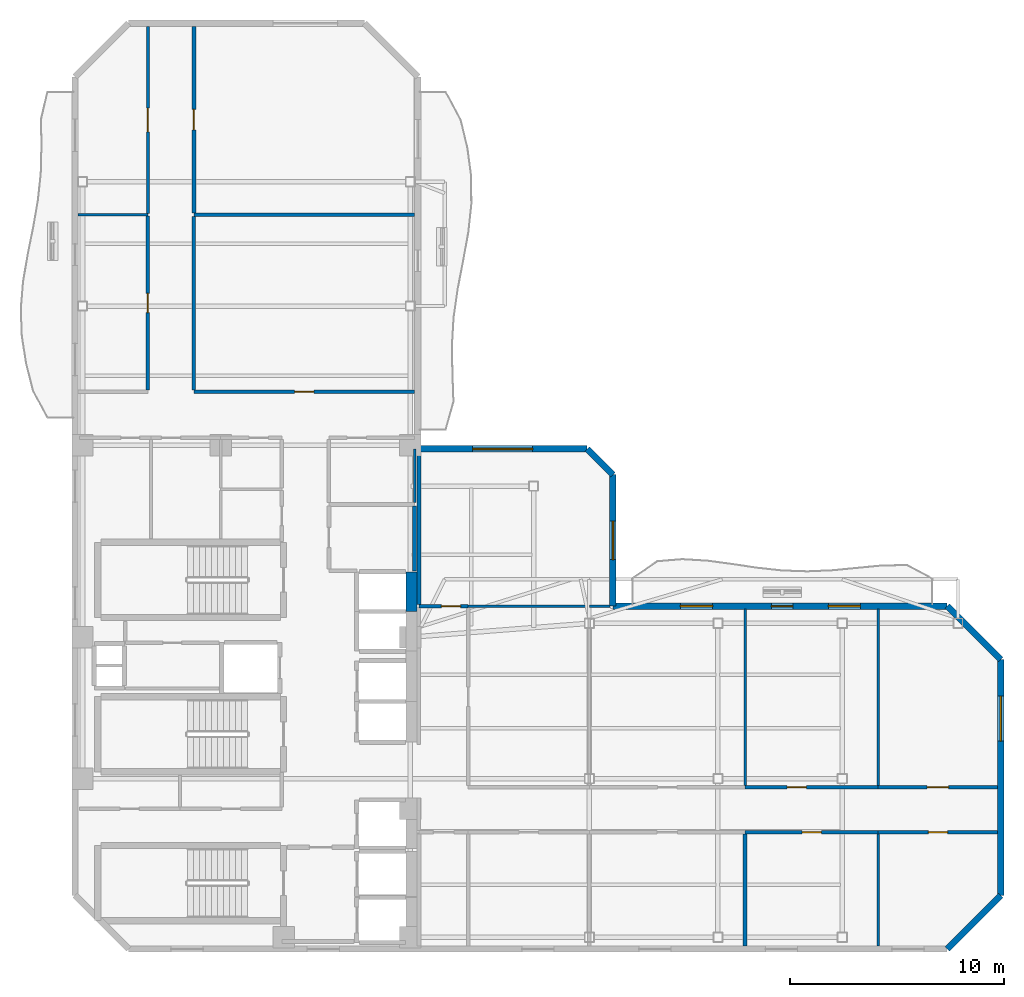
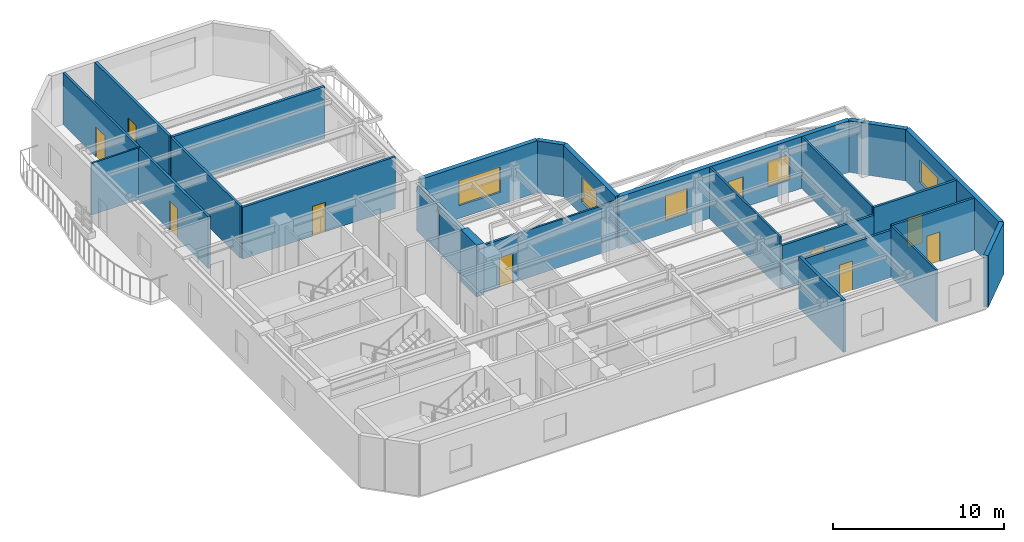
# One storey, part 5 of 9: 29 walls, 10 doors, 5 windows, 15 openings.
"""IFC4 building model written with IfcOpenShell, lengths in metres."""

from ifc_helpers import new_model, si_unit, direction, frame, frame_2d, origin, place, context, subcontext, project, spatial, rectangle, extrude, material, layer, layer_set, type_object, element, fill, save


model = new_model("IFC4")

# Units and contexts
model_context = context("Model", 3, precision=1e-05, world=origin(), true_north=direction((0.0, 1.0)))
body_context = subcontext(model_context, "Body", "Model", "MODEL_VIEW")
ifc_project = project(units=[si_unit("LENGTHUNIT", "METRE"), si_unit("AREAUNIT", "SQUARE_METRE"), si_unit("VOLUMEUNIT", "CUBIC_METRE"), si_unit("PLANEANGLEUNIT", "RADIAN"), si_unit("MASSUNIT", "GRAM", prefix="KILO")], contexts=[model_context])

# Site, building, storey
site_placement = place(None, origin())
site = spatial("IfcSite", under=ifc_project, at=site_placement, CompositionType="ELEMENT")
building_placement = place(site_placement, origin())
building = spatial("IfcBuilding", under=site, at=building_placement, Name="Mawjaban Terraces University", CompositionType="ELEMENT")
storey_placement = place(building_placement, frame((0.0, 0.0, 203.10009765625)))
storey = spatial("IfcBuildingStorey", under=building, at=storey_placement, Name="L49", CompositionType="ELEMENT", Elevation=203.10009765625)

# Wall
ifc_material_1 = material(Name="Acoustic masonry blockwork", Category="masonry")
ifc_layer_1 = layer(ifc_material_1, 0.179931640625)
ifc_layer_set_1 = layer_set([ifc_layer_1], Name="Acoustic masonry blockwork")
wall_type_1 = type_object("IfcWallType", Name="AcousticStudioWall_180", PredefinedType="PARTITIONING", material=ifc_layer_set_1)
wall_1_placement = place(storey_placement, frame((37.85009765625, 34.260009765625, 0.0), z_axis=(0.0, 0.0, 1.0), x_axis=(-1.0, 0.0, 0.0)))
element("IfcWall", 1, at=wall_1_placement, inside=storey, type_object=wall_type_1, Name="L49 Faculty Office 11 Partition 17", PredefinedType="PARTITIONING", context=body_context, shape_type="SweptSolid", body=[
    extrude(rectangle(XDim=10.300048828125, YDim=0.179931640625, at=frame_2d((5.14990234375, 0.0))), origin(), (0.0, 0.0, 1.0), 3.68994140625),
])

# Wall, opening, door
wall_2_placement = place(storey_placement, frame((27.550048828125, 34.344970703125, 0.0), z_axis=(0.0, 0.0, 1.0), x_axis=(0.0, 1.0, 0.0)))
wall_2 = element("IfcWall", 2, at=wall_2_placement, inside=storey, type_object=wall_type_1, Name="L49 West Shifted Academic Corridor Partition 36", PredefinedType="PARTITIONING", context=body_context, shape_type="SweptSolid", body=[
    extrude(rectangle(XDim=8.7099609375, YDim=0.179931640625, at=frame_2d((4.35498046875, 0.0))), origin(), (0.0, 0.0, 1.0), 3.68994140625),
])
opening_1_placement = place(wall_2_placement, frame((3.8798828125, 0.0, 0.0)))
opening_1 = element("IfcOpeningElement", 3, at=opening_1_placement, cuts=wall_2, Name="Opening ID-095", PredefinedType="OPENING", context=body_context, shape_type="SweptSolid", body=[
    extrude(rectangle(XDim=0.949951171875, YDim=2.10009765625, at=frame_2d((0.47509765625, 1.050048828125))), frame((0.0, 0.099853515625, 0.0), z_axis=(0.0, -1.0, 0.0), x_axis=(1.0, 0.0, 0.0)), (0.0, 0.0, 1.0), 0.199951171875),
])
ifc_material_2 = material(Name="Powder-coated steel frame and solid acoustic timber leaf", Category="steel")
door_type_1 = type_object("IfcDoorType", Name="StudioDoor_950x2100", OperationType="NOTDEFINED", PredefinedType="DOOR", material=ifc_material_2)
door_1_placement = place(opening_1_placement, origin())
door_1 = element("IfcDoor", 4, at=door_1_placement, inside=storey, type_object=door_type_1, Name="L49 Design Studio 13 Door", OperationType="SINGLE_SWING_LEFT", OverallHeight=2.10009765625, OverallWidth=0.949951171875, PredefinedType="DOOR", context=body_context, shape_type="SweptSolid", body=[
    extrude(rectangle(XDim=0.949951171875, YDim=2.10009765625, at=frame_2d((0.47509765625, 1.050048828125))), frame((0.0, 0.02490234375, 0.0), z_axis=(0.0, -1.0, 0.0), x_axis=(1.0, 0.0, 0.0)), (0.0, 0.0, 1.0), 0.050048828125),
])
fill(opening_1, door_1)

# Walls
wall_3_placement = place(storey_placement, frame((37.85009765625, 17.64990234375, 0.0), z_axis=(0.0, 0.0, 1.0), x_axis=(0.0, 1.0, 0.0)))
element("IfcWall", 5, at=wall_3_placement, inside=storey, type_object=wall_type_1, Name="L49 Graduate Research Collaboration Studio Partition 44", PredefinedType="PARTITIONING", context=body_context, shape_type="SweptSolid", body=[
    extrude(rectangle(XDim=3.01513671875, YDim=0.179931640625, at=frame_2d((1.507568359375, 0.0))), origin(), (0.0, 0.0, 1.0), 3.14599609375),
])
wall_4_placement = place(storey_placement, frame((38.050048828125, 23.18994140625, 0.0), z_axis=(0.0, 0.0, 1.0), x_axis=(0.0, -1.0, 0.0)))
element("IfcWall", 6, at=wall_4_placement, inside=storey, type_object=wall_type_1, Name="L49 Terrace Collaborative Study Room Partition 49", PredefinedType="PARTITIONING", context=body_context, shape_type="SweptSolid", body=[
    extrude(rectangle(XDim=7.114990234375, YDim=0.179931640625, at=frame_2d((3.5576171875, 0.0))), origin(), (0.0, 0.0, 1.0), 3.14599609375),
])
wall_5_placement = place(storey_placement, frame((53.27001953125, 0.14501953125, 0.0), z_axis=(0.0, 0.0, 1.0), x_axis=(0.0, 1.0, 0.0)))
element("IfcWall", 7, at=wall_5_placement, inside=storey, type_object=wall_type_1, Name="L49 Media Workshop 4 Partition 54", PredefinedType="PARTITIONING", context=body_context, shape_type="SweptSolid", body=[
    extrude(rectangle(XDim=5.219970703125, YDim=0.179931640625, at=frame_2d((2.60986328125, 0.0))), origin(), (0.0, 0.0, 1.0), 3.68994140625),
])
ifc_material_3 = material(Name="Concrete C60/75", Category="concrete")
ifc_layer_2 = layer(ifc_material_3, 0.5)
ifc_layer_set_2 = layer_set([ifc_layer_2], Name="Concrete C60/75")
wall_type_2 = type_object("IfcWallType", Name="CoreShearWall_500", PredefinedType="SHEAR", material=ifc_layer_set_2)
wall_6_placement = place(storey_placement, frame((37.699951171875, 15.75, 0.0), z_axis=(0.0, 0.0, 1.0), x_axis=(0.0, 1.0, 0.0)))
element("IfcWall", 8, at=wall_6_placement, inside=storey, type_object=wall_type_2, Name="L49 Lift OL-2 Hoistway Wall East", PredefinedType="SHEAR", context=body_context, shape_type="SweptSolid", body=[
    extrude(rectangle(XDim=1.85009765625, YDim=0.5, at=frame_2d((0.925048828125, 0.0))), origin(), (0.0, 0.0, 1.0), 3.68994140625),
])

# Wall, opening, door
ifc_material_4 = material(Name="Fire-rated gypsum board on steel stud", Category="steel")
ifc_layer_3 = layer(ifc_material_4, 0.159912109375)
ifc_layer_set_3 = layer_set([ifc_layer_3], Name="Fire-rated gypsum board on steel stud")
wall_type_3 = type_object("IfcWallType", Name="CorridorPartition_160", PredefinedType="PARTITIONING", material=ifc_layer_set_3)
wall_7_placement = place(storey_placement, frame((37.85009765625, 26.0, 0.0), z_axis=(0.0, 0.0, 1.0), x_axis=(-1.0, 0.0, 0.0)))
wall_7 = element("IfcWall", 9, at=wall_7_placement, inside=storey, type_object=wall_type_3, Name="L49 North Core Cross-Corridor Partition 16", PredefinedType="PARTITIONING", context=body_context, shape_type="SweptSolid", body=[
    extrude(rectangle(XDim=10.300048828125, YDim=0.159912109375, at=frame_2d((5.14990234375, 0.0))), origin(), (0.0, 0.0, 1.0), 3.68994140625),
])
opening_2_placement = place(wall_7_placement, frame((4.699951171875, 0.0, 0.0)))
opening_2 = element("IfcOpeningElement", 10, at=opening_2_placement, cuts=wall_7, Name="Opening ID-090", PredefinedType="OPENING", context=body_context, shape_type="SweptSolid", body=[
    extrude(rectangle(XDim=0.89990234375, YDim=2.10009765625, at=frame_2d((0.449951171875, 1.050048828125))), frame((0.0, 0.08984375, 0.0), z_axis=(0.0, -1.0, 0.0), x_axis=(1.0, 0.0, 0.0)), (0.0, 0.0, 1.0), 0.179931640625),
])
door_type_2 = type_object("IfcDoorType", Name="OfficeDoor_900x2100", OperationType="NOTDEFINED", PredefinedType="DOOR", material=ifc_material_2)
door_2_placement = place(opening_2_placement, origin())
door_2 = element("IfcDoor", 11, at=door_2_placement, inside=storey, type_object=door_type_2, Name="L49 Faculty Office 11 Door", OperationType="SINGLE_SWING_LEFT", OverallHeight=2.10009765625, OverallWidth=0.89990234375, PredefinedType="DOOR", context=body_context, shape_type="SweptSolid", body=[
    extrude(rectangle(XDim=0.89990234375, YDim=2.10009765625, at=frame_2d((0.449951171875, 1.050048828125))), frame((0.0, 0.02490234375, 0.0), z_axis=(0.0, -1.0, 0.0), x_axis=(1.0, 0.0, 0.0)), (0.0, 0.0, 1.0), 0.050048828125),
])
fill(opening_2, door_2)

wall_8_placement = place(storey_placement, frame((40.35009765625, 16.0, 0.0), z_axis=(0.0, 0.0, 1.0), x_axis=(-1.0, 0.0, 0.0)))
wall_8 = element("IfcWall", 12, at=wall_8_placement, inside=storey, type_object=wall_type_3, Name="L49 South Spine Spur Link Partition 20", PredefinedType="PARTITIONING", context=body_context, shape_type="SweptSolid", body=[
    extrude(rectangle(XDim=2.300048828125, YDim=0.159912109375, at=frame_2d((1.14990234375, 0.0))), origin(), (0.0, 0.0, 1.0), 3.389892578125),
])
opening_3_placement = place(wall_8_placement, frame((0.35009765625, 0.0, 0.0)))
opening_3 = element("IfcOpeningElement", 13, at=opening_3_placement, cuts=wall_8, Name="Opening ID-090", PredefinedType="OPENING", context=body_context, shape_type="SweptSolid", body=[
    extrude(rectangle(XDim=0.89990234375, YDim=2.10009765625, at=frame_2d((0.449951171875, 1.050048828125))), frame((0.0, 0.08984375, 0.0), z_axis=(0.0, -1.0, 0.0), x_axis=(1.0, 0.0, 0.0)), (0.0, 0.0, 1.0), 0.179931640625),
])
door_3_placement = place(opening_3_placement, origin())
door_3 = element("IfcDoor", 14, at=door_3_placement, inside=storey, type_object=door_type_2, Name="L49 Terrace Collaborative Study Room Door", OperationType="SINGLE_SWING_RIGHT", OverallHeight=2.10009765625, OverallWidth=0.89990234375, PredefinedType="DOOR", context=body_context, shape_type="SweptSolid", body=[
    extrude(rectangle(XDim=0.89990234375, YDim=2.10009765625, at=frame_2d((0.449951171875, 1.050048828125))), frame((0.0, 0.02490234375, 0.0), z_axis=(0.0, -1.0, 0.0), x_axis=(1.0, 0.0, 0.0)), (0.0, 0.0, 1.0), 0.050048828125),
])
fill(opening_3, door_3)

wall_9_placement = place(storey_placement, frame((53.27001953125, 5.449951171875, 0.0), z_axis=(0.0, 0.0, 1.0), x_axis=(1.0, 0.0, 0.0)))
wall_9 = element("IfcWall", 15, at=wall_9_placement, inside=storey, type_object=wall_type_3, Name="L49 South Shifted Academic Corridor Partition 25", PredefinedType="PARTITIONING", context=body_context, shape_type="SweptSolid", body=[
    extrude(rectangle(XDim=6.2099609375, YDim=0.159912109375, at=frame_2d((3.10498046875, 0.0))), origin(), (0.0, 0.0, 1.0), 3.371826171875),
])
opening_4_placement = place(wall_9_placement, frame((2.655029296875, 0.0, 0.0)))
opening_4 = element("IfcOpeningElement", 16, at=opening_4_placement, cuts=wall_9, Name="Opening ID-090", PredefinedType="OPENING", context=body_context, shape_type="SweptSolid", body=[
    extrude(rectangle(XDim=0.89990234375, YDim=2.10009765625, at=frame_2d((0.449951171875, 1.050048828125))), frame((0.0, 0.08984375, 0.0), z_axis=(0.0, -1.0, 0.0), x_axis=(1.0, 0.0, 0.0)), (0.0, 0.0, 1.0), 0.179931640625),
])
door_4_placement = place(opening_4_placement, origin())
door_4 = element("IfcDoor", 17, at=door_4_placement, inside=storey, type_object=door_type_2, Name="L49 Reading Salon 6 Door", OperationType="SINGLE_SWING_RIGHT", OverallHeight=2.10009765625, OverallWidth=0.89990234375, PredefinedType="DOOR", context=body_context, shape_type="SweptSolid", body=[
    extrude(rectangle(XDim=0.89990234375, YDim=2.10009765625, at=frame_2d((0.449951171875, 1.050048828125))), frame((0.0, 0.02490234375, 0.0), z_axis=(0.0, -1.0, 0.0), x_axis=(1.0, 0.0, 0.0)), (0.0, 0.0, 1.0), 0.050048828125),
])
fill(opening_4, door_4)

wall_10_placement = place(storey_placement, frame((59.47998046875, 5.449951171875, 0.0), z_axis=(0.0, 0.0, 1.0), x_axis=(1.0, 0.0, 0.0)))
wall_10 = element("IfcWall", 18, at=wall_10_placement, inside=storey, type_object=wall_type_3, Name="L49 South Shifted Academic Corridor Partition 27", PredefinedType="PARTITIONING", context=body_context, shape_type="SweptSolid", body=[
    extrude(rectangle(XDim=5.574951171875, YDim=0.159912109375, at=frame_2d((2.78759765625, 0.0))), origin(), (0.0, 0.0, 1.0), 3.68994140625),
])
opening_5_placement = place(wall_10_placement, frame((2.337890625, 0.0, 0.0)))
opening_5 = element("IfcOpeningElement", 19, at=opening_5_placement, cuts=wall_10, Name="Opening ID-090", PredefinedType="OPENING", context=body_context, shape_type="SweptSolid", body=[
    extrude(rectangle(XDim=0.89990234375, YDim=2.10009765625, at=frame_2d((0.449951171875, 1.050048828125))), frame((0.0, 0.08984375, 0.0), z_axis=(0.0, -1.0, 0.0), x_axis=(1.0, 0.0, 0.0)), (0.0, 0.0, 1.0), 0.179931640625),
])
door_5_placement = place(opening_5_placement, origin())
door_5 = element("IfcDoor", 20, at=door_5_placement, inside=storey, type_object=door_type_2, Name="L49 Academic Counseling Room 8 Door", OperationType="SINGLE_SWING_RIGHT", OverallHeight=2.10009765625, OverallWidth=0.89990234375, PredefinedType="DOOR", context=body_context, shape_type="SweptSolid", body=[
    extrude(rectangle(XDim=0.89990234375, YDim=2.10009765625, at=frame_2d((0.449951171875, 1.050048828125))), frame((0.0, 0.02490234375, 0.0), z_axis=(0.0, -1.0, 0.0), x_axis=(1.0, 0.0, 0.0)), (0.0, 0.0, 1.0), 0.050048828125),
])
fill(opening_5, door_5)

wall_11_placement = place(storey_placement, frame((59.47998046875, 7.550048828125, 0.0), z_axis=(0.0, 0.0, 1.0), x_axis=(-1.0, 0.0, 0.0)))
wall_11 = element("IfcWall", 21, at=wall_11_placement, inside=storey, type_object=wall_type_3, Name="L49 South Shifted Academic Corridor Partition 28", PredefinedType="PARTITIONING", context=body_context, shape_type="SweptSolid", body=[
    extrude(rectangle(XDim=6.2099609375, YDim=0.159912109375, at=frame_2d((3.10498046875, 0.0))), origin(), (0.0, 0.0, 1.0), 3.14599609375),
])
opening_6_placement = place(wall_11_placement, frame((3.35498046875, 0.0, 0.0)))
opening_6 = element("IfcOpeningElement", 22, at=opening_6_placement, cuts=wall_11, Name="Opening ID-090", PredefinedType="OPENING", context=body_context, shape_type="SweptSolid", body=[
    extrude(rectangle(XDim=0.89990234375, YDim=2.10009765625, at=frame_2d((0.449951171875, 1.050048828125))), frame((0.0, 0.08984375, 0.0), z_axis=(0.0, -1.0, 0.0), x_axis=(1.0, 0.0, 0.0)), (0.0, 0.0, 1.0), 0.179931640625),
])
door_6_placement = place(opening_6_placement, origin())
door_6 = element("IfcDoor", 23, at=door_6_placement, inside=storey, type_object=door_type_2, Name="L49 Academic Counseling Room 7 Door", OperationType="SINGLE_SWING_LEFT", OverallHeight=2.10009765625, OverallWidth=0.89990234375, PredefinedType="DOOR", context=body_context, shape_type="SweptSolid", body=[
    extrude(rectangle(XDim=0.89990234375, YDim=2.10009765625, at=frame_2d((0.449951171875, 1.050048828125))), frame((0.0, 0.02490234375, 0.0), z_axis=(0.0, -1.0, 0.0), x_axis=(1.0, 0.0, 0.0)), (0.0, 0.0, 1.0), 0.050048828125),
])
fill(opening_6, door_6)

wall_12_placement = place(storey_placement, frame((65.054931640625, 7.550048828125, 0.0), z_axis=(0.0, 0.0, 1.0), x_axis=(-1.0, 0.0, 0.0)))
wall_12 = element("IfcWall", 24, at=wall_12_placement, inside=storey, type_object=wall_type_3, Name="L49 South Shifted Academic Corridor Partition 29", PredefinedType="PARTITIONING", context=body_context, shape_type="SweptSolid", body=[
    extrude(rectangle(XDim=5.574951171875, YDim=0.159912109375, at=frame_2d((2.78759765625, 0.0))), origin(), (0.0, 0.0, 1.0), 3.68994140625),
])
opening_7_placement = place(wall_12_placement, frame((2.2880859375, 0.0, 0.0)))
opening_7 = element("IfcOpeningElement", 25, at=opening_7_placement, cuts=wall_12, Name="Opening ID-100", PredefinedType="OPENING", context=body_context, shape_type="SweptSolid", body=[
    extrude(rectangle(XDim=1.0, YDim=2.10009765625, at=frame_2d((0.5, 1.050048828125))), frame((0.0, 0.08984375, 0.0), z_axis=(0.0, -1.0, 0.0), x_axis=(1.0, 0.0, 0.0)), (0.0, 0.0, 1.0), 0.179931640625),
])
door_type_3 = type_object("IfcDoorType", Name="ClassroomDoor_1000x2100", OperationType="NOTDEFINED", PredefinedType="DOOR", material=ifc_material_2)
door_7_placement = place(opening_7_placement, origin())
door_7 = element("IfcDoor", 26, at=door_7_placement, inside=storey, type_object=door_type_3, Name="L49 Classroom 9 Door", OperationType="SINGLE_SWING_LEFT", OverallHeight=2.10009765625, OverallWidth=1.0, PredefinedType="DOOR", context=body_context, shape_type="SweptSolid", body=[
    extrude(rectangle(XDim=1.0, YDim=2.10009765625, at=frame_2d((0.5, 1.050048828125))), frame((0.0, 0.02490234375, 0.0), z_axis=(0.0, -1.0, 0.0), x_axis=(1.0, 0.0, 0.0)), (0.0, 0.0, 1.0), 0.050048828125),
])
fill(opening_7, door_7)

wall_13_placement = place(storey_placement, frame((25.39990234375, 34.2099609375, 0.0), z_axis=(0.0, 0.0, 1.0), x_axis=(0.0, -1.0, 0.0)))
wall_13 = element("IfcWall", 27, at=wall_13_placement, inside=storey, type_object=wall_type_3, Name="L49 West Shifted Academic Corridor Partition 31", PredefinedType="PARTITIONING", context=body_context, shape_type="SweptSolid", body=[
    extrude(rectangle(XDim=8.135009765625, YDim=0.159912109375, at=frame_2d((4.0673828125, 0.0))), origin(), (0.0, 0.0, 1.0), 3.68994140625),
])
opening_8_placement = place(wall_13_placement, frame((3.617919921875, 0.0, 0.0)))
opening_8 = element("IfcOpeningElement", 28, at=opening_8_placement, cuts=wall_13, Name="Opening ID-090", PredefinedType="OPENING", context=body_context, shape_type="SweptSolid", body=[
    extrude(rectangle(XDim=0.89990234375, YDim=2.10009765625, at=frame_2d((0.449951171875, 1.050048828125))), frame((0.0, 0.08984375, 0.0), z_axis=(0.0, -1.0, 0.0), x_axis=(1.0, 0.0, 0.0)), (0.0, 0.0, 1.0), 0.179931640625),
])
door_8_placement = place(opening_8_placement, origin())
door_8 = element("IfcDoor", 29, at=door_8_placement, inside=storey, type_object=door_type_2, Name="L49 Seminar Room 10 Door", OperationType="SINGLE_SWING_RIGHT", OverallHeight=2.10009765625, OverallWidth=0.89990234375, PredefinedType="DOOR", context=body_context, shape_type="SweptSolid", body=[
    extrude(rectangle(XDim=0.89990234375, YDim=2.10009765625, at=frame_2d((0.449951171875, 1.050048828125))), frame((0.0, 0.02490234375, 0.0), z_axis=(0.0, -1.0, 0.0), x_axis=(1.0, 0.0, 0.0)), (0.0, 0.0, 1.0), 0.050048828125),
])
fill(opening_8, door_8)

# Walls
wall_14_placement = place(storey_placement, frame((27.550048828125, 26.074951171875, 0.0), z_axis=(0.0, 0.0, 1.0), x_axis=(0.0, 1.0, 0.0)))
element("IfcWall", 30, at=wall_14_placement, inside=storey, type_object=wall_type_3, Name="L49 West Shifted Academic Corridor Partition 35", PredefinedType="PARTITIONING", context=body_context, shape_type="SweptSolid", body=[
    extrude(rectangle(XDim=8.10009765625, YDim=0.159912109375, at=frame_2d((4.050048828125, 0.0))), origin(), (0.0, 0.0, 1.0), 3.68994140625),
])
ifc_material_5 = material(Name="Insulated terracotta rainscreen on concrete backup C40/50", Category="masonry")
ifc_layer_4 = layer(ifc_material_5, 0.300048828125)
ifc_layer_set_4 = layer_set([ifc_layer_4], Name="Insulated terracotta rainscreen on concrete backup C40/50")
wall_type_4 = type_object("IfcWallType", Name="ExtTerracottaWall_300", PredefinedType="SOLIDWALL", material=ifc_layer_set_4)
wall_15_placement = place(storey_placement, frame((62.699951171875, 0.0, 0.0), z_axis=(0.0, 0.0, 1.0), x_axis=(0.707106781187, 0.707106781187, 0.0)))
element("IfcWall", 31, at=wall_15_placement, inside=storey, type_object=wall_type_4, Name="L49 Exterior Terracotta Wall 2", PredefinedType="SOLIDWALL", context=body_context, shape_type="SweptSolid", body=[
    extrude(rectangle(XDim=3.53564453125, YDim=0.300048828125, at=frame_2d((1.767822265625, 0.0))), origin(), (0.0, 0.0, 1.0), 3.68994140625),
])

# Wall, opening, window
wall_16_placement = place(storey_placement, frame((65.199951171875, 2.5, 0.0), z_axis=(0.0, 0.0, 1.0), x_axis=(0.0, 1.0, 0.0)))
wall_16 = element("IfcWall", 32, at=wall_16_placement, inside=storey, type_object=wall_type_4, Name="L49 Exterior Terracotta Wall 3", PredefinedType="SOLIDWALL", context=body_context, shape_type="SweptSolid", body=[
    extrude(rectangle(XDim=11.0, YDim=0.300048828125, at=frame_2d((5.5, 0.0))), origin(), (0.0, 0.0, 1.0), 3.68994140625),
])
opening_9_placement = place(wall_16_placement, frame((7.199951171875, 0.0, 0.89990234375)))
opening_9 = element("IfcOpeningElement", 33, at=opening_9_placement, cuts=wall_16, Name="Opening W-04", PredefinedType="OPENING", context=body_context, shape_type="SweptSolid", body=[
    extrude(rectangle(XDim=2.10009765625, YDim=1.60009765625, at=frame_2d((1.050048828125, 0.800048828125))), frame((0.0, 0.159912109375, 0.0), z_axis=(0.0, -1.0, 0.0), x_axis=(1.0, 0.0, 0.0)), (0.0, 0.0, 1.0), 0.320068359375),
])
ifc_material_6 = material(Name="Low-E solar-control double glazing in thermally broken aluminium frame", Category="aluminium")
window_type_1 = type_object("IfcWindowType", Name="Win_2100x1600", PartitioningType="SINGLE_PANEL", PredefinedType="WINDOW", material=ifc_material_6)
window_1_placement = place(opening_9_placement, origin())
window_1 = element("IfcWindow", 34, at=window_1_placement, inside=storey, type_object=window_type_1, Name="L49 Facade Window 3.2", OverallHeight=1.60009765625, OverallWidth=2.10009765625, PartitioningType="SINGLE_PANEL", PredefinedType="WINDOW", context=body_context, shape_type="SweptSolid", body=[
    extrude(rectangle(XDim=2.10009765625, YDim=1.60009765625, at=frame_2d((1.050048828125, 0.800048828125))), frame((0.0, 0.030029296875, 0.0), z_axis=(0.0, -1.0, 0.0), x_axis=(1.0, 0.0, 0.0)), (0.0, 0.0, 1.0), 0.06005859375),
])
fill(opening_9, window_1)

# Wall
wall_17_placement = place(storey_placement, frame((65.199951171875, 13.5, 0.0), z_axis=(0.0, 0.0, 1.0), x_axis=(-0.707106781187, 0.707106781187, 0.0)))
element("IfcWall", 35, at=wall_17_placement, inside=storey, type_object=wall_type_4, Name="L49 Exterior Terracotta Wall 4", PredefinedType="SOLIDWALL", context=body_context, shape_type="SweptSolid", body=[
    extrude(rectangle(XDim=3.53564453125, YDim=0.300048828125, at=frame_2d((1.767822265625, 0.0))), origin(), (0.0, 0.0, 1.0), 3.68994140625),
])

# Wall, openings, door, windows
wall_18_placement = place(storey_placement, frame((62.699951171875, 16.0, 0.0), z_axis=(0.0, 0.0, 1.0), x_axis=(-1.0, 0.0, 0.0)))
wall_18 = element("IfcWall", 36, at=wall_18_placement, inside=storey, type_object=wall_type_4, Name="L49 Exterior Terracotta Wall 5", PredefinedType="SOLIDWALL", context=body_context, shape_type="SweptSolid", body=[
    extrude(rectangle(XDim=15.599853515625, YDim=0.300048828125, at=frame_2d((7.7998046875, 0.0))), origin(), (0.0, 0.0, 1.0), 3.68994140625),
])
opening_10_placement = place(wall_18_placement, frame((7.199951171875, 0.0, 0.0)))
opening_10 = element("IfcOpeningElement", 37, at=opening_10_placement, cuts=wall_18, Name="Opening BD-100", PredefinedType="OPENING", context=body_context, shape_type="SweptSolid", body=[
    extrude(rectangle(XDim=1.0, YDim=2.199951171875, at=frame_2d((0.5, 1.10009765625))), frame((0.0, 0.159912109375, 0.0), z_axis=(0.0, -1.0, 0.0), x_axis=(1.0, 0.0, 0.0)), (0.0, 0.0, 1.0), 0.320068359375),
])
opening_11_placement = place(wall_18_placement, frame((4.050048828125, 0.0, 0.89990234375)))
opening_11 = element("IfcOpeningElement", 38, at=opening_11_placement, cuts=wall_18, Name="Opening W-06", PredefinedType="OPENING", context=body_context, shape_type="SweptSolid", body=[
    extrude(rectangle(XDim=1.5, YDim=1.800048828125, at=frame_2d((0.75, 0.89990234375))), frame((0.0, 0.159912109375, 0.0), z_axis=(0.0, -1.0, 0.0), x_axis=(1.0, 0.0, 0.0)), (0.0, 0.0, 1.0), 0.320068359375),
])
opening_12_placement = place(wall_18_placement, frame((10.949951171875, 0.0, 0.89990234375)))
opening_12 = element("IfcOpeningElement", 39, at=opening_12_placement, cuts=wall_18, Name="Opening W-06", PredefinedType="OPENING", context=body_context, shape_type="SweptSolid", body=[
    extrude(rectangle(XDim=1.5, YDim=1.800048828125, at=frame_2d((0.75, 0.89990234375))), frame((0.0, 0.159912109375, 0.0), z_axis=(0.0, -1.0, 0.0), x_axis=(1.0, 0.0, 0.0)), (0.0, 0.0, 1.0), 0.320068359375),
])
ifc_material_7 = material(Name="Thermally broken anodised aluminium and laminated safety glass", Category="aluminium")
door_type_4 = type_object("IfcDoorType", Name="BalconyGlazedDoor_1000x2200", OperationType="NOTDEFINED", PredefinedType="DOOR", material=ifc_material_7)
door_9_placement = place(opening_10_placement, origin())
door_9 = element("IfcDoor", 40, at=door_9_placement, inside=storey, type_object=door_type_4, Name="L49 Balcony Access Door inner_north", OperationType="SINGLE_SWING_RIGHT", OverallHeight=2.199951171875, OverallWidth=1.0, PredefinedType="DOOR", context=body_context, shape_type="SweptSolid", body=[
    extrude(rectangle(XDim=1.0, YDim=2.199951171875, at=frame_2d((0.5, 1.10009765625))), frame((0.0, 0.02490234375, 0.0), z_axis=(0.0, -1.0, 0.0), x_axis=(1.0, 0.0, 0.0)), (0.0, 0.0, 1.0), 0.050048828125),
])
fill(opening_10, door_9)
window_type_2 = type_object("IfcWindowType", Name="Win_1500x1800", PartitioningType="SINGLE_PANEL", PredefinedType="WINDOW", material=ifc_material_6)
window_2_placement = place(opening_11_placement, origin())
window_2 = element("IfcWindow", 41, at=window_2_placement, inside=storey, type_object=window_type_2, Name="L49 Facade Window 5.1", OverallHeight=1.800048828125, OverallWidth=1.5, PartitioningType="SINGLE_PANEL", PredefinedType="WINDOW", context=body_context, shape_type="SweptSolid", body=[
    extrude(rectangle(XDim=1.5, YDim=1.800048828125, at=frame_2d((0.75, 0.89990234375))), frame((0.0, 0.030029296875, 0.0), z_axis=(0.0, -1.0, 0.0), x_axis=(1.0, 0.0, 0.0)), (0.0, 0.0, 1.0), 0.06005859375),
])
fill(opening_11, window_2)
window_3_placement = place(opening_12_placement, origin())
window_3 = element("IfcWindow", 42, at=window_3_placement, inside=storey, type_object=window_type_2, Name="L49 Facade Window 5.2", OverallHeight=1.800048828125, OverallWidth=1.5, PartitioningType="SINGLE_PANEL", PredefinedType="WINDOW", context=body_context, shape_type="SweptSolid", body=[
    extrude(rectangle(XDim=1.5, YDim=1.800048828125, at=frame_2d((0.75, 0.89990234375))), frame((0.0, 0.030029296875, 0.0), z_axis=(0.0, -1.0, 0.0), x_axis=(1.0, 0.0, 0.0)), (0.0, 0.0, 1.0), 0.06005859375),
])
fill(opening_12, window_3)

# Wall, opening, window
wall_19_placement = place(storey_placement, frame((47.10009765625, 16.0, 0.0), z_axis=(0.0, 0.0, 1.0), x_axis=(0.0, 1.0, 0.0)))
wall_19 = element("IfcWall", 43, at=wall_19_placement, inside=storey, type_object=wall_type_4, Name="L49 Exterior Terracotta Wall 6", PredefinedType="SOLIDWALL", context=body_context, shape_type="SweptSolid", body=[
    extrude(rectangle(XDim=6.135009765625, YDim=0.300048828125, at=frame_2d((3.0673828125, 0.0))), origin(), (0.0, 0.0, 1.0), 3.68994140625),
])
opening_13_placement = place(wall_19_placement, frame((2.16796875, 0.0, 0.89990234375)))
opening_13 = element("IfcOpeningElement", 44, at=opening_13_placement, cuts=wall_19, Name="Opening W-07", PredefinedType="OPENING", context=body_context, shape_type="SweptSolid", body=[
    extrude(rectangle(XDim=1.800048828125, YDim=1.800048828125, at=frame_2d((0.89990234375, 0.89990234375))), frame((0.0, 0.159912109375, 0.0), z_axis=(0.0, -1.0, 0.0), x_axis=(1.0, 0.0, 0.0)), (0.0, 0.0, 1.0), 0.320068359375),
])
window_type_3 = type_object("IfcWindowType", Name="Win_1800x1800", PartitioningType="SINGLE_PANEL", PredefinedType="WINDOW", material=ifc_material_6)
window_4_placement = place(opening_13_placement, origin())
window_4 = element("IfcWindow", 45, at=window_4_placement, inside=storey, type_object=window_type_3, Name="L49 Facade Window 6.1", OverallHeight=1.800048828125, OverallWidth=1.800048828125, PartitioningType="SINGLE_PANEL", PredefinedType="WINDOW", context=body_context, shape_type="SweptSolid", body=[
    extrude(rectangle(XDim=1.800048828125, YDim=1.800048828125, at=frame_2d((0.89990234375, 0.89990234375))), frame((0.0, 0.030029296875, 0.0), z_axis=(0.0, -1.0, 0.0), x_axis=(1.0, 0.0, 0.0)), (0.0, 0.0, 1.0), 0.06005859375),
])
fill(opening_13, window_4)

# Wall
wall_20_placement = place(storey_placement, frame((47.10009765625, 22.135009765625, 0.0), z_axis=(0.0, 0.0, 1.0), x_axis=(-0.707178703759, 0.707034851297, 0.0)))
element("IfcWall", 46, at=wall_20_placement, inside=storey, type_object=wall_type_4, Name="L49 Exterior Terracotta Wall 7", PredefinedType="SOLIDWALL", context=body_context, shape_type="SweptSolid", body=[
    extrude(rectangle(XDim=1.697265625, YDim=0.300048828125, at=frame_2d((0.8486328125, 0.0))), origin(), (0.0, 0.0, 1.0), 3.68994140625),
])

# Wall, opening, window
wall_21_placement = place(storey_placement, frame((45.89990234375, 23.3349609375, 0.0), z_axis=(0.0, 0.0, 1.0), x_axis=(-1.0, 0.0, 0.0)))
wall_21 = element("IfcWall", 47, at=wall_21_placement, inside=storey, type_object=wall_type_4, Name="L49 Exterior Terracotta Wall 8", PredefinedType="SOLIDWALL", context=body_context, shape_type="SweptSolid", body=[
    extrude(rectangle(XDim=7.89990234375, YDim=0.300048828125, at=frame_2d((3.949951171875, 0.0))), origin(), (0.0, 0.0, 1.0), 3.68994140625),
])
opening_14_placement = place(wall_21_placement, frame((2.550048828125, 0.0, 0.89990234375)))
opening_14 = element("IfcOpeningElement", 48, at=opening_14_placement, cuts=wall_21, Name="Opening W-09", PredefinedType="OPENING", context=body_context, shape_type="SweptSolid", body=[
    extrude(rectangle(XDim=2.800048828125, YDim=1.800048828125, at=frame_2d((1.39990234375, 0.89990234375))), frame((0.0, 0.159912109375, 0.0), z_axis=(0.0, -1.0, 0.0), x_axis=(1.0, 0.0, 0.0)), (0.0, 0.0, 1.0), 0.320068359375),
])
window_type_4 = type_object("IfcWindowType", Name="Win_2800x1800", PartitioningType="SINGLE_PANEL", PredefinedType="WINDOW", material=ifc_material_6)
window_5_placement = place(opening_14_placement, origin())
window_5 = element("IfcWindow", 49, at=window_5_placement, inside=storey, type_object=window_type_4, Name="L49 Facade Window 8.1", OverallHeight=1.800048828125, OverallWidth=2.800048828125, PartitioningType="SINGLE_PANEL", PredefinedType="WINDOW", context=body_context, shape_type="SweptSolid", body=[
    extrude(rectangle(XDim=2.800048828125, YDim=1.800048828125, at=frame_2d((1.39990234375, 0.89990234375))), frame((0.0, 0.030029296875, 0.0), z_axis=(0.0, -1.0, 0.0), x_axis=(1.0, 0.0, 0.0)), (0.0, 0.0, 1.0), 0.06005859375),
])
fill(opening_14, window_5)

# Wall, opening, door
ifc_material_8 = material(Name="Moisture-resistant gypsum board on steel stud", Category="steel")
ifc_layer_5 = layer(ifc_material_8, 0.14501953125)
ifc_layer_set_5 = layer_set([ifc_layer_5], Name="Moisture-resistant gypsum board on steel stud")
wall_type_5 = type_object("IfcWallType", Name="LabPartition_145", PredefinedType="PARTITIONING", material=ifc_layer_set_5)
wall_22_placement = place(storey_placement, frame((25.39990234375, 43.054931640625, 0.0), z_axis=(0.0, 0.0, 1.0), x_axis=(0.0, -1.0, 0.0)))
wall_22 = element("IfcWall", 50, at=wall_22_placement, inside=storey, type_object=wall_type_5, Name="L49 West Shifted Academic Corridor Partition 32", PredefinedType="PARTITIONING", context=body_context, shape_type="SweptSolid", body=[
    extrude(rectangle(XDim=8.744873046875, YDim=0.14501953125, at=frame_2d((4.37255859375, 0.0))), origin(), (0.0, 0.0, 1.0), 3.68994140625),
])
opening_15_placement = place(wall_22_placement, frame((3.822021484375, 0.0, 0.0)))
opening_15 = element("IfcOpeningElement", 51, at=opening_15_placement, cuts=wall_22, Name="Opening ID-110", PredefinedType="OPENING", context=body_context, shape_type="SweptSolid", body=[
    extrude(rectangle(XDim=1.10009765625, YDim=2.14990234375, at=frame_2d((0.550048828125, 1.074951171875))), frame((0.0, 0.08251953125, 0.0), z_axis=(0.0, -1.0, 0.0), x_axis=(1.0, 0.0, 0.0)), (0.0, 0.0, 1.0), 0.1650390625),
])
door_type_5 = type_object("IfcDoorType", Name="LabDoor_1100x2150", OperationType="NOTDEFINED", PredefinedType="DOOR", material=ifc_material_2)
door_10_placement = place(opening_15_placement, origin())
door_10 = element("IfcDoor", 52, at=door_10_placement, inside=storey, type_object=door_type_5, Name="L49 Teaching Laboratory 12 Door", OperationType="SINGLE_SWING_RIGHT", OverallHeight=2.14990234375, OverallWidth=1.10009765625, PredefinedType="DOOR", context=body_context, shape_type="SweptSolid", body=[
    extrude(rectangle(XDim=1.10009765625, YDim=2.14990234375, at=frame_2d((0.550048828125, 1.074951171875))), frame((0.0, 0.02490234375, 0.0), z_axis=(0.0, -1.0, 0.0), x_axis=(1.0, 0.0, 0.0)), (0.0, 0.0, 1.0), 0.050048828125),
])
fill(opening_15, door_10)

# Walls
ifc_material_9 = material(Name="Gypsum plasterboard on steel stud", Category="steel")
ifc_layer_6 = layer(ifc_material_9, 0.125)
ifc_layer_set_6 = layer_set([ifc_layer_6], Name="Gypsum plasterboard on steel stud")
wall_type_6 = type_object("IfcWallType", Name="OfficePartition_125", PredefinedType="PARTITIONING", material=ifc_layer_set_6)
wall_23_placement = place(storey_placement, frame((46.0, 16.0, 0.0), z_axis=(0.0, 0.0, 1.0), x_axis=(1.0, 0.0, 0.0)))
element("IfcWall", 53, at=wall_23_placement, inside=storey, type_object=wall_type_6, Name="L49 Terrace Collaborative Study Room Partition 23", PredefinedType="PARTITIONING", context=body_context, shape_type="SweptSolid", body=[
    extrude(rectangle(XDim=0.955078125, YDim=0.125, at=frame_2d((0.4775390625, 0.0))), origin(), (0.0, 0.0, 1.0), 3.389892578125),
])
wall_24_placement = place(storey_placement, frame((46.0, 16.0, 0.0), z_axis=(0.0, 0.0, 1.0), x_axis=(-1.0, 0.0, 0.0)))
element("IfcWall", 54, at=wall_24_placement, inside=storey, type_object=wall_type_6, Name="L49 Reading Salon 3 Partition 24", PredefinedType="PARTITIONING", context=body_context, shape_type="SweptSolid", body=[
    extrude(rectangle(XDim=5.64990234375, YDim=0.125, at=frame_2d((2.824951171875, 0.0))), origin(), (0.0, 0.0, 1.0), 3.389892578125),
])
wall_25_placement = place(storey_placement, frame((37.85009765625, 20.8349609375, 0.0), z_axis=(0.0, 0.0, 1.0), x_axis=(0.0, 1.0, 0.0)))
element("IfcWall", 55, at=wall_25_placement, inside=storey, type_object=wall_type_6, Name="L49 Departmental Copy and Archive Room Partition 45", PredefinedType="PARTITIONING", context=body_context, shape_type="SweptSolid", body=[
    extrude(rectangle(XDim=2.5, YDim=0.125, at=frame_2d((1.25, 0.0))), origin(), (0.0, 0.0, 1.0), 3.14599609375),
])
wall_26_placement = place(storey_placement, frame((53.27001953125, 7.625, 0.0), z_axis=(0.0, 0.0, 1.0), x_axis=(0.0, 1.0, 0.0)))
element("IfcWall", 56, at=wall_26_placement, inside=storey, type_object=wall_type_6, Name="L49 Quiet Reading Room 5 Partition 55", PredefinedType="PARTITIONING", context=body_context, shape_type="SweptSolid", body=[
    extrude(rectangle(XDim=8.22998046875, YDim=0.125, at=frame_2d((4.114990234375, 0.0))), origin(), (0.0, 0.0, 1.0), 3.68994140625),
])
wall_27_placement = place(storey_placement, frame((59.47998046875, 0.14501953125, 0.0), z_axis=(0.0, 0.0, 1.0), x_axis=(0.0, 1.0, 0.0)))
element("IfcWall", 57, at=wall_27_placement, inside=storey, type_object=wall_type_6, Name="L49 Reading Salon 6 Partition 56", PredefinedType="PARTITIONING", context=body_context, shape_type="SweptSolid", body=[
    extrude(rectangle(XDim=5.22998046875, YDim=0.125, at=frame_2d((2.614990234375, 0.0))), origin(), (0.0, 0.0, 1.0), 3.68994140625),
])
wall_28_placement = place(storey_placement, frame((59.47998046875, 7.625, 0.0), z_axis=(0.0, 0.0, 1.0), x_axis=(0.0, 1.0, 0.0)))
element("IfcWall", 58, at=wall_28_placement, inside=storey, type_object=wall_type_6, Name="L49 Academic Counseling Room 7 Partition 57", PredefinedType="PARTITIONING", context=body_context, shape_type="SweptSolid", body=[
    extrude(rectangle(XDim=8.22998046875, YDim=0.125, at=frame_2d((4.114990234375, 0.0))), origin(), (0.0, 0.0, 1.0), 3.68994140625),
])
ifc_material_10 = material(Name="Acoustic operable panel partition", Category="masonry")
ifc_layer_7 = layer(ifc_material_10, 0.110107421875)
ifc_layer_set_7 = layer_set([ifc_layer_7], Name="Acoustic operable panel partition")
wall_type_7 = type_object("IfcWallType", Name="OperableSeminarWall_110", PredefinedType="MOVABLE", material=ifc_layer_set_7)
wall_29_placement = place(storey_placement, frame((25.39990234375, 34.260009765625, 0.0), z_axis=(0.0, 0.0, 1.0), x_axis=(-1.0, 0.0, 0.0)))
element("IfcWall", 59, at=wall_29_placement, inside=storey, type_object=wall_type_7, Name="L49 Seminar Room 10 Partition 4", PredefinedType="MOVABLE", context=body_context, shape_type="SweptSolid", body=[
    extrude(rectangle(XDim=3.2548828125, YDim=0.110107421875, at=frame_2d((1.62744140625, 0.0))), origin(), (0.0, 0.0, 1.0), 3.68994140625),
])

save(model, "model.ifc")
